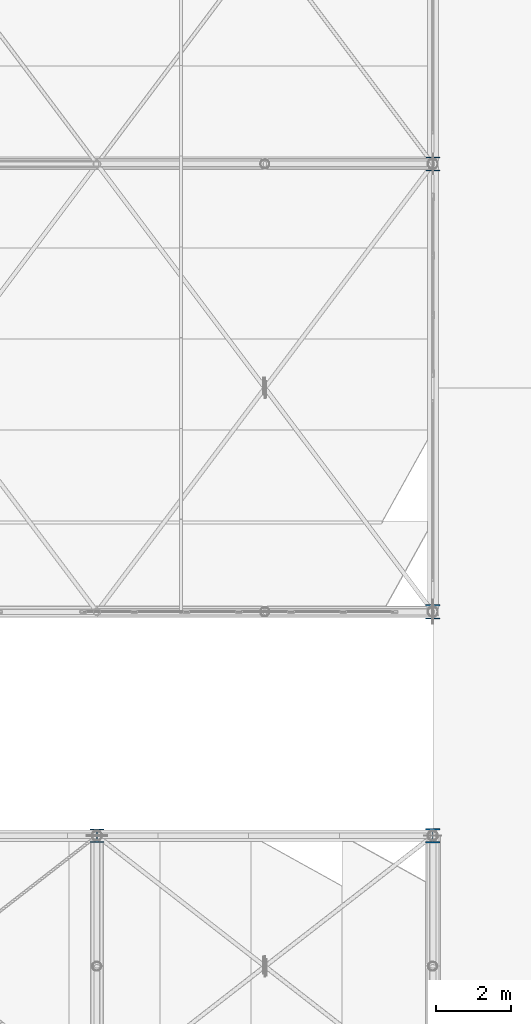
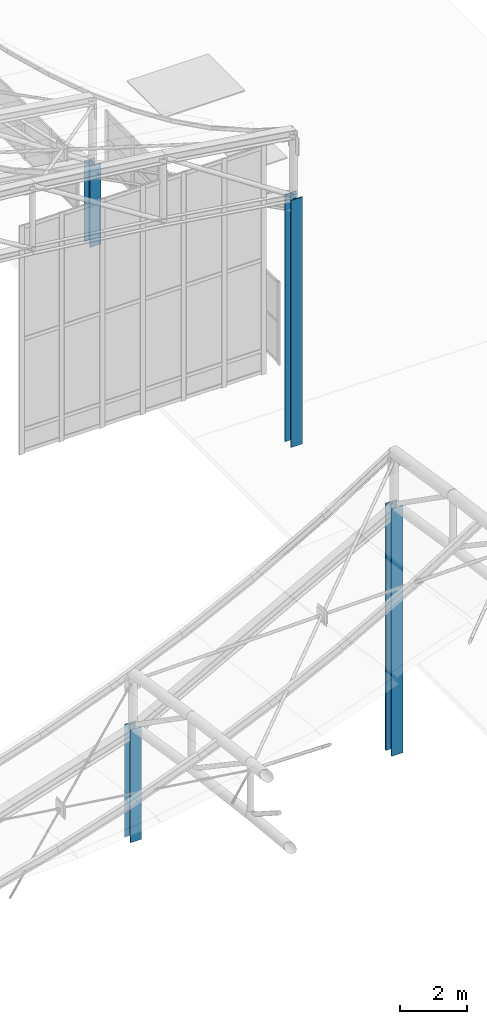
# One storey, part 4 of 262: 4 columns.
"""IFC4 building model written with IfcOpenShell, lengths in metres."""

from ifc_helpers import new_model, si_unit, derived_unit, direction, frame, origin, origin_2d, place, context, subcontext, project, spatial, i_section, extrude, material, material_profile, profile_set, type_object, element, save


model = new_model("IFC4")

# Units and contexts
model_context = context("Model", 3, precision=1e-05, world=origin(), true_north=direction((0.0, 1.0)))
body_context = subcontext(model_context, "Body", "Model", "MODEL_VIEW")
ifc_project = project(units=[si_unit("LENGTHUNIT", "METRE"), si_unit("AREAUNIT", "SQUARE_METRE"), si_unit("VOLUMEUNIT", "CUBIC_METRE"), si_unit("PLANEANGLEUNIT", "RADIAN"), si_unit("MASSUNIT", "GRAM", prefix="KILO"), derived_unit("THERMALTRANSMITTANCEUNIT", [(si_unit("POWERUNIT", "WATT"), 1), (si_unit("LENGTHUNIT", "METRE"), -2), (si_unit("THERMODYNAMICTEMPERATUREUNIT", "KELVIN"), -1)])], contexts=[model_context])

# Site, building, storey
site_placement = place(None, origin())
site = spatial("IfcSite", under=ifc_project, at=site_placement, CompositionType="ELEMENT")
building_placement = place(site_placement, origin())
building = spatial("IfcBuilding", under=site, at=building_placement, Name="Almenara Railside Exhibition Hall", CompositionType="ELEMENT")
storey_placement = place(building_placement, frame((0.0, 0.0, 21.699951171875)))
storey = spatial("IfcBuildingStorey", under=building, at=storey_placement, Name="RF", CompositionType="ELEMENT", Elevation=21.699951171875)

# Columns
ifc_material = material(Name="Structural steel S355JR", Category="steel")
ifc_material_profile_1 = material_profile(ifc_material, i_section(OverallWidth=0.37255859375, OverallDepth=0.3681640625, WebThickness=0.014404296875, FlangeThickness=0.023681640625, FilletRadius=0.01513671875, at=origin_2d()), Name="UC 356x368x177")
ifc_profile_set_1 = profile_set([ifc_material_profile_1], Name="Structural steel S355JR")
column_type_1 = type_object("IfcColumnType", Name="Steel Column UC 356x368x177 S355JR", PredefinedType="COLUMN", material=ifc_profile_set_1)
column_1_placement = place(storey_placement, frame((66.0, 60.0, -2.39990234375), z_axis=(0.0, 0.0, 1.0), x_axis=(1.0, 0.0, 0.0)))
element("IfcColumn", 1, at=column_1_placement, inside=storey, type_object=column_type_1, Name="V1 scroll portal column 2", PredefinedType="COLUMN", context=body_context, shape_type="SweptSolid", body=[
    extrude(i_section(OverallWidth=0.37255859375, OverallDepth=0.3681640625, WebThickness=0.014404296875, FlangeThickness=0.023681640625, FilletRadius=0.01513671875, at=origin_2d()), origin(), (0.0, 0.0, 1.0), 2.941162109375),
])
column_2_placement = place(storey_placement, frame((57.0, 42.0, -10.0), z_axis=(0.0, 0.0, 1.0), x_axis=(1.0, 0.0, 0.0)))
element("IfcColumn", 2, at=column_2_placement, inside=storey, type_object=column_type_1, Name="V4 scroll portal column 7", PredefinedType="COLUMN", context=body_context, shape_type="SweptSolid", body=[
    extrude(i_section(OverallWidth=0.37255859375, OverallDepth=0.3681640625, WebThickness=0.014404296875, FlangeThickness=0.023681640625, FilletRadius=0.01513671875, at=origin_2d()), origin(), (0.0, 0.0, 1.0), 4.100830078125),
])
ifc_material_profile_2 = material_profile(ifc_material, i_section(OverallWidth=0.394775390625, OverallDepth=0.381103515625, WebThickness=0.018310546875, FlangeThickness=0.0302734375, FilletRadius=0.01513671875, at=origin_2d()), Name="UC 356x406x235")
ifc_profile_set_2 = profile_set([ifc_material_profile_2], Name="Structural steel S355JR")
column_type_2 = type_object("IfcColumnType", Name="Steel Column UC 356x406x235 S355JR", PredefinedType="COLUMN", material=ifc_profile_set_2)
for number, where, z_axis, x_axis, name in (
    (3, (66.0, 48.0, -2.39990234375), (0.0, 0.0, 1.0), (1.0, 0.0, 0.0), "V1 scroll portal column 1"),
    (4, (66.0, 42.0, -10.0), (0.0, 0.0, 1.0), (1.0, 0.0, 0.0), "V4 scroll portal column 8"),
):
    element("IfcColumn", number, at=place(storey_placement, frame(where, z_axis=z_axis, x_axis=x_axis)), inside=storey, type_object=column_type_2, Name=name, PredefinedType="COLUMN", context=body_context, shape_type="SweptSolid", body=[
        extrude(i_section(OverallWidth=0.394775390625, OverallDepth=0.381103515625, WebThickness=0.018310546875, FlangeThickness=0.0302734375, FilletRadius=0.01513671875, at=origin_2d()), origin(), (0.0, 0.0, 1.0), 9.0),
    ])

save(model, "model.ifc")
